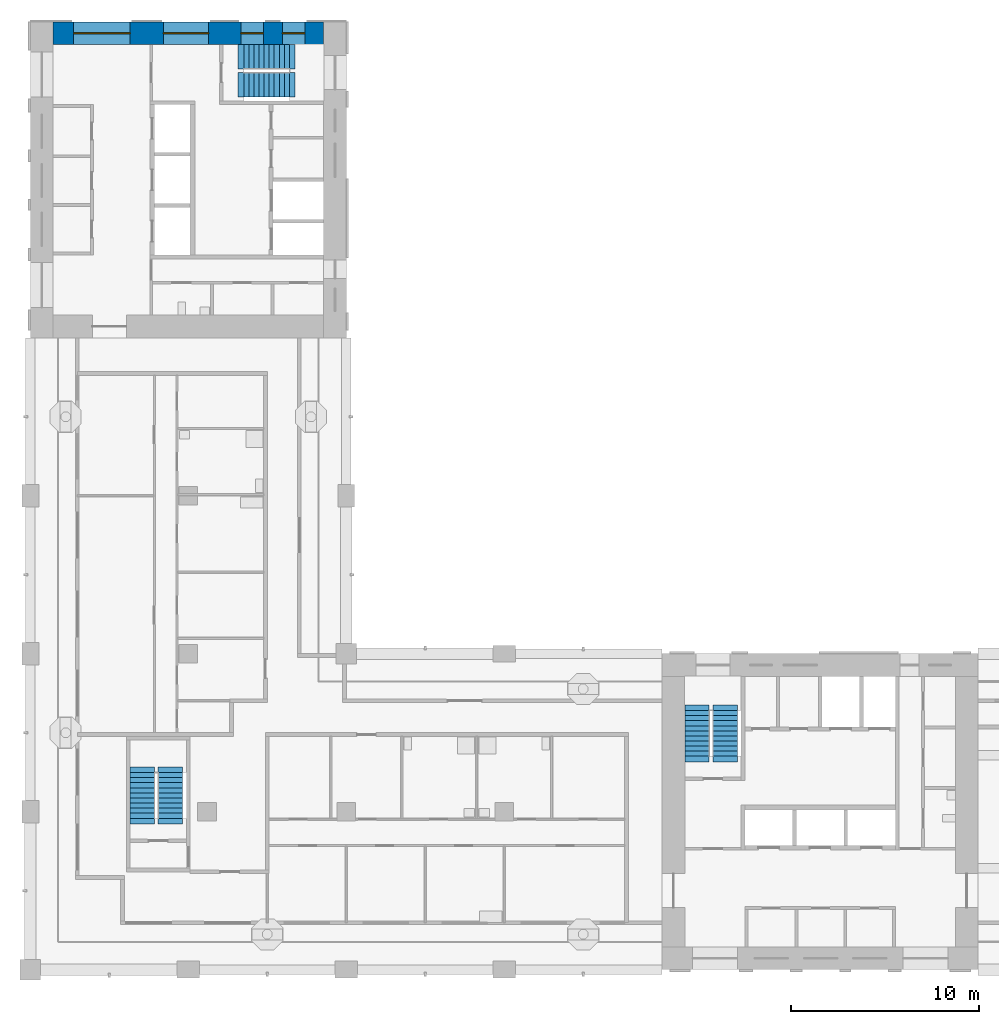
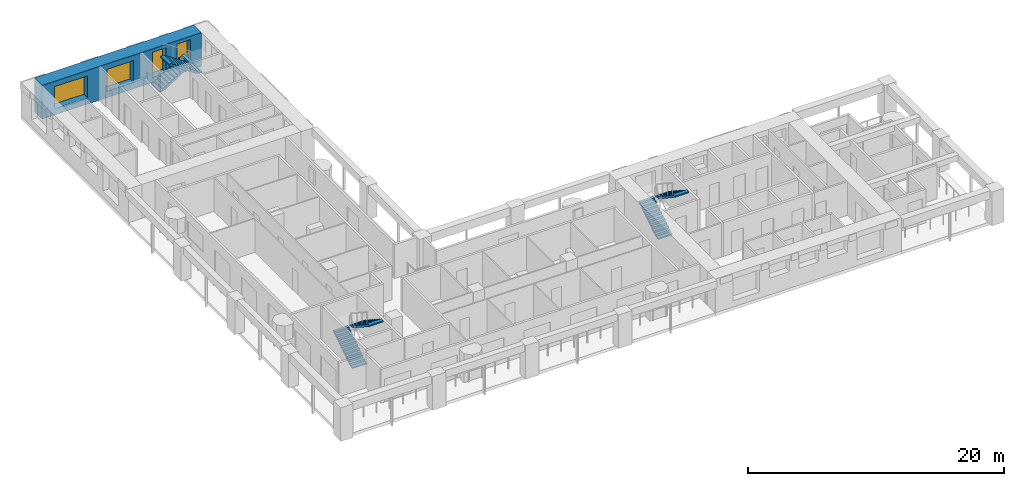
# One storey, part 7 of 13: 6 stair flights, 4 windows, 1 wall, 4 openings, 3 elements without a shape of their own.
"""IFC4 building model written with IfcOpenShell, lengths in metres."""

from ifc_helpers import new_model, si_unit, direction, frame, frame_2d, origin, place, context, subcontext, project, spatial, polyline, rectangle, outline, extrude, material, layer, layer_set, type_object, element, fill, aggregate, save


model = new_model("IFC4")

# Units and contexts
model_context = context("Model", 3, precision=1e-05, world=origin(), true_north=direction((0.0, 1.0)))
body_context = subcontext(model_context, "Body", "Model", "MODEL_VIEW")
ifc_project = project(units=[si_unit("LENGTHUNIT", "METRE"), si_unit("AREAUNIT", "SQUARE_METRE"), si_unit("VOLUMEUNIT", "CUBIC_METRE"), si_unit("PLANEANGLEUNIT", "RADIAN"), si_unit("MASSUNIT", "GRAM", prefix="KILO")], contexts=[model_context])

# Site, building, storey
site_placement = place(None, origin())
site = spatial("IfcSite", under=ifc_project, at=site_placement, CompositionType="ELEMENT")
building_placement = place(site_placement, origin())
building = spatial("IfcBuilding", under=site, at=building_placement, Name="Vermilion Gate Residences", CompositionType="ELEMENT")
storey_placement = place(building_placement, frame((0.0, 0.0, 196.699951171875)))
storey = spatial("IfcBuildingStorey", under=building, at=storey_placement, Name="L51", CompositionType="ELEMENT", Elevation=196.699951171875)

# Wall, openings, windows
ifc_material_1 = material(Name="Concrete C60 red-oxide pigmented", Category="concrete")
ifc_layer = layer(ifc_material_1, 1.199951171875)
ifc_layer_set = layer_set([ifc_layer], Name="RC CORE WALL 1200 C60 RED OXIDE")
wall_type = type_object("IfcWallType", Name="RC CORE WALL 1200 C60 RED OXIDE", PredefinedType="SHEAR", material=ifc_layer_set)
wall_placement = place(storey_placement, frame((9.60009765625, 58.199951171875, 0.0), z_axis=(0.0, 0.0, 1.0), x_axis=(1.0, 0.0, 0.0)))
wall = element("IfcWall", 1, at=wall_placement, inside=storey, type_object=wall_type, Name="Core wall B51-OUT-FR", PredefinedType="SHEAR", context=body_context, shape_type="SweptSolid", body=[
    extrude(rectangle(XDim=14.39990234375, YDim=1.199951171875, at=frame_2d((7.199951171875, 0.0))), origin(), (0.0, 0.0, 1.0), 3.219970703125),
])
opening_1_placement = place(wall_placement, frame((1.10498046875, 0.0, 0.60009765625)))
opening_1 = element("IfcOpeningElement", 2, at=opening_1_placement, cuts=wall, Name="Opening WKB5111", PredefinedType="OPENING", context=body_context, shape_type="SweptSolid", body=[
    extrude(rectangle(XDim=3.0, YDim=2.10009765625, at=frame_2d((1.5, 1.050048828125))), frame((0.0, 0.60986328125, 0.0), z_axis=(0.0, -1.0, 0.0), x_axis=(1.0, 0.0, 0.0)), (0.0, 0.0, 1.0), 1.219970703125),
])
opening_2_placement = place(wall_placement, frame((5.875, 0.0, 0.60009765625)))
opening_2 = element("IfcOpeningElement", 3, at=opening_2_placement, cuts=wall, Name="Opening WKB5112", PredefinedType="OPENING", context=body_context, shape_type="SweptSolid", body=[
    extrude(rectangle(XDim=2.39990234375, YDim=2.10009765625, at=frame_2d((1.199951171875, 1.050048828125))), frame((0.0, 0.60986328125, 0.0), z_axis=(0.0, -1.0, 0.0), x_axis=(1.0, 0.0, 0.0)), (0.0, 0.0, 1.0), 1.219970703125),
])
opening_3_placement = place(wall_placement, frame((9.993408203125, 0.0, 0.5)))
opening_3 = element("IfcOpeningElement", 4, at=opening_3_placement, cuts=wall, Name="Opening WKB5113", PredefinedType="OPENING", context=body_context, shape_type="SweptSolid", body=[
    extrude(rectangle(XDim=1.199951171875, YDim=2.39990234375, at=frame_2d((0.60009765625, 1.199951171875))), frame((0.0, 0.60986328125, 0.0), z_axis=(0.0, -1.0, 0.0), x_axis=(1.0, 0.0, 0.0)), (0.0, 0.0, 1.0), 1.219970703125),
])
opening_4_placement = place(wall_placement, frame((12.19677734375, 0.0, 0.5)))
opening_4 = element("IfcOpeningElement", 5, at=opening_4_placement, cuts=wall, Name="Opening WKB5114", PredefinedType="OPENING", context=body_context, shape_type="SweptSolid", body=[
    extrude(rectangle(XDim=1.199951171875, YDim=2.39990234375, at=frame_2d((0.60009765625, 1.199951171875))), frame((0.0, 0.60986328125, 0.0), z_axis=(0.0, -1.0, 0.0), x_axis=(1.0, 0.0, 0.0)), (0.0, 0.0, 1.0), 1.219970703125),
])
ifc_material_2 = material(Name="Aluminium and clear glass", Category="aluminium")
window_type_1 = type_object("IfcWindowType", Name="CORE LOBBY WINDOW 2400 X 2100", PartitioningType="SINGLE_PANEL", PredefinedType="WINDOW", material=ifc_material_2)
window_1_placement = place(opening_2_placement, origin())
window_1 = element("IfcWindow", 6, at=window_1_placement, inside=storey, type_object=window_type_1, Name="Core lobby window", OverallHeight=2.10009765625, OverallWidth=2.39990234375, PartitioningType="SINGLE_PANEL", PredefinedType="WINDOW", context=body_context, shape_type="SweptSolid", body=[
    extrude(rectangle(XDim=2.39990234375, YDim=2.10009765625, at=frame_2d((1.199951171875, 1.050048828125))), frame((0.0, 0.030029296875, 0.0), z_axis=(0.0, -1.0, 0.0), x_axis=(1.0, 0.0, 0.0)), (0.0, 0.0, 1.0), 0.06005859375),
])
fill(opening_2, window_1)
ifc_material_3 = material(Name="Aluminium and clear glass", Category="aluminium")
window_type_2 = type_object("IfcWindowType", Name="CORE LOBBY WINDOW 3000 X 2100", PartitioningType="SINGLE_PANEL", PredefinedType="WINDOW", material=ifc_material_3)
window_2_placement = place(opening_1_placement, origin())
window_2 = element("IfcWindow", 7, at=window_2_placement, inside=storey, type_object=window_type_2, Name="Core lobby window", OverallHeight=2.10009765625, OverallWidth=3.0, PartitioningType="SINGLE_PANEL", PredefinedType="WINDOW", context=body_context, shape_type="SweptSolid", body=[
    extrude(rectangle(XDim=3.0, YDim=2.10009765625, at=frame_2d((1.5, 1.050048828125))), frame((0.0, 0.030029296875, 0.0), z_axis=(0.0, -1.0, 0.0), x_axis=(1.0, 0.0, 0.0)), (0.0, 0.0, 1.0), 0.06005859375),
])
fill(opening_1, window_2)
ifc_material_4 = material(Name="Aluminium and clear glass", Category="aluminium")
window_type_3 = type_object("IfcWindowType", Name="CORE STAIR WINDOW 1200 X 2400", PartitioningType="SINGLE_PANEL", PredefinedType="WINDOW", material=ifc_material_4)
window_3_placement = place(opening_3_placement, origin())
window_3 = element("IfcWindow", 8, at=window_3_placement, inside=storey, type_object=window_type_3, Name="Core stair window", OverallHeight=2.39990234375, OverallWidth=1.199951171875, PartitioningType="SINGLE_PANEL", PredefinedType="WINDOW", context=body_context, shape_type="SweptSolid", body=[
    extrude(rectangle(XDim=1.199951171875, YDim=2.39990234375, at=frame_2d((0.60009765625, 1.199951171875))), frame((0.0, 0.030029296875, 0.0), z_axis=(0.0, -1.0, 0.0), x_axis=(1.0, 0.0, 0.0)), (0.0, 0.0, 1.0), 0.06005859375),
])
fill(opening_3, window_3)
window_4_placement = place(opening_4_placement, origin())
window_4 = element("IfcWindow", 9, at=window_4_placement, inside=storey, type_object=window_type_3, Name="Core stair window", OverallHeight=2.39990234375, OverallWidth=1.199951171875, PartitioningType="SINGLE_PANEL", PredefinedType="WINDOW", context=body_context, shape_type="SweptSolid", body=[
    extrude(rectangle(XDim=1.199951171875, YDim=2.39990234375, at=frame_2d((0.60009765625, 1.199951171875))), frame((0.0, 0.030029296875, 0.0), z_axis=(0.0, -1.0, 0.0), x_axis=(1.0, 0.0, 0.0)), (0.0, 0.0, 1.0), 0.06005859375),
])
fill(opening_4, window_4)

# Stair, stair flights
ifc_material_5 = material(Name="Concrete C50", Category="concrete")
stair_type = type_object("IfcStairType", Name="SPECIAL ESCAPE STAIR 1300", PredefinedType="HALF_TURN_STAIR", material=ifc_material_5)
stair_1_placement = place(storey_placement, origin())
stair_1 = element("IfcStair", 10, at=stair_1_placement, inside=storey, type_object=stair_type, Name="Special escape stair STA1-51", PredefinedType="HALF_TURN_STAIR")
ifc_material_6 = material(Name="Concrete C50", Category="concrete")
stair_flight_type = type_object("IfcStairFlightType", Name="STAIR FLIGHT 1300 RC C50", PredefinedType="STRAIGHT", material=ifc_material_6)
stair_flight_1_placement = place(storey_placement, frame((43.85009765625, 19.75, 0.0), z_axis=(0.0, 0.0, 1.0), x_axis=(0.0, 1.0, 0.0)))
stair_flight_1 = element("IfcStairFlight", 11, at=stair_flight_1_placement, type_object=stair_flight_type, Name="STA1-51 flight 1", NumberOfRisers=10, NumberOfTreads=9, PredefinedType="STRAIGHT", RiserHeight=0.175, TreadLength=0.27, context=body_context, shape_type="SweptSolid", body=[
    extrude(outline(polyline([(-0.300048828125, -0.14990234375), (-0.300048828125, -0.030029296875), (0.0, 0.0), (0.0, 0.175048828125), (0.27001953125, 0.175048828125), (0.27001953125, 0.35009765625), (0.5400390625, 0.35009765625), (0.5400390625, 0.52490234375), (0.81005859375, 0.52490234375), (0.81005859375, 0.699951171875), (1.080078125, 0.699951171875), (1.080078125, 0.875), (1.35009765625, 0.875), (1.35009765625, 1.050048828125), (1.6201171875, 1.050048828125), (1.6201171875, 1.22509765625), (1.889892578125, 1.22509765625), (1.889892578125, 1.39990234375), (2.159912109375, 1.39990234375), (2.159912109375, 1.574951171875), (2.429931640625, 1.574951171875), (2.429931640625, 1.75), (2.72998046875, 1.719970703125), (2.72998046875, 1.60009765625), (2.429931640625, 1.396484375), (0.275634765625, 0.0), (-0.300048828125, -0.14990234375)])), frame((0.0, 0.64990234375, 0.0), z_axis=(0.0, -1.0, 0.0), x_axis=(1.0, 0.0, 0.0)), (0.0, 0.0, 1.0), 1.300048828125),
])
stair_flight_2_placement = place(storey_placement, frame((45.35009765625, 22.179931640625, 1.75), z_axis=(0.0, 0.0, 1.0), x_axis=(0.0, -1.0, 0.0)))
stair_flight_2 = element("IfcStairFlight", 12, at=stair_flight_2_placement, type_object=stair_flight_type, Name="STA1-51 flight 2", NumberOfRisers=10, NumberOfTreads=9, PredefinedType="STRAIGHT", RiserHeight=0.175, TreadLength=0.27, context=body_context, shape_type="SweptSolid", body=[
    extrude(outline(polyline([(-0.300048828125, -0.14990234375), (-0.300048828125, -0.030029296875), (0.0, 0.0), (0.0, 0.175048828125), (0.27001953125, 0.175048828125), (0.27001953125, 0.35009765625), (0.5400390625, 0.35009765625), (0.5400390625, 0.52490234375), (0.81005859375, 0.52490234375), (0.81005859375, 0.699951171875), (1.080078125, 0.699951171875), (1.080078125, 0.875), (1.35009765625, 0.875), (1.35009765625, 1.050048828125), (1.6201171875, 1.050048828125), (1.6201171875, 1.22509765625), (1.889892578125, 1.22509765625), (1.889892578125, 1.39990234375), (2.159912109375, 1.39990234375), (2.159912109375, 1.574951171875), (2.429931640625, 1.574951171875), (2.429931640625, 1.75), (2.72998046875, 1.719970703125), (2.72998046875, 1.60009765625), (2.429931640625, 1.396484375), (0.275634765625, 0.0), (-0.300048828125, -0.14990234375)])), frame((0.0, 0.64990234375, 0.0), z_axis=(0.0, -1.0, 0.0), x_axis=(1.0, 0.0, 0.0)), (0.0, 0.0, 1.0), 1.300048828125),
])
aggregate(stair_1, [stair_flight_1, stair_flight_2])

stair_2_placement = place(storey_placement, origin())
stair_2 = element("IfcStair", 13, at=stair_2_placement, inside=storey, type_object=stair_type, Name="Special escape stair STB1-51", PredefinedType="HALF_TURN_STAIR")
stair_flight_3_placement = place(storey_placement, frame((19.75, 56.949951171875, 0.0), z_axis=(0.0, 0.0, 1.0), x_axis=(1.0, 0.0, 0.0)))
stair_flight_3 = element("IfcStairFlight", 14, at=stair_flight_3_placement, type_object=stair_flight_type, Name="STB1-51 flight 1", NumberOfRisers=10, NumberOfTreads=9, PredefinedType="STRAIGHT", RiserHeight=0.175, TreadLength=0.27, context=body_context, shape_type="SweptSolid", body=[
    extrude(outline(polyline([(-0.300048828125, -0.14990234375), (-0.300048828125, -0.030029296875), (0.0, 0.0), (0.0, 0.175048828125), (0.27001953125, 0.175048828125), (0.27001953125, 0.35009765625), (0.5400390625, 0.35009765625), (0.5400390625, 0.52490234375), (0.81005859375, 0.52490234375), (0.81005859375, 0.699951171875), (1.080078125, 0.699951171875), (1.080078125, 0.875), (1.35009765625, 0.875), (1.35009765625, 1.050048828125), (1.6201171875, 1.050048828125), (1.6201171875, 1.22509765625), (1.889892578125, 1.22509765625), (1.889892578125, 1.39990234375), (2.159912109375, 1.39990234375), (2.159912109375, 1.574951171875), (2.429931640625, 1.574951171875), (2.429931640625, 1.75), (2.72998046875, 1.719970703125), (2.72998046875, 1.60009765625), (2.429931640625, 1.396484375), (0.275634765625, 0.0), (-0.300048828125, -0.14990234375)])), frame((0.0, 0.64990234375, 0.0), z_axis=(0.0, -1.0, 0.0), x_axis=(1.0, 0.0, 0.0)), (0.0, 0.0, 1.0), 1.300048828125),
])
stair_flight_4_placement = place(storey_placement, frame((22.179931640625, 55.449951171875, 1.75), z_axis=(0.0, 0.0, 1.0), x_axis=(-1.0, 0.0, 0.0)))
stair_flight_4 = element("IfcStairFlight", 15, at=stair_flight_4_placement, type_object=stair_flight_type, Name="STB1-51 flight 2", NumberOfRisers=10, NumberOfTreads=9, PredefinedType="STRAIGHT", RiserHeight=0.175, TreadLength=0.27, context=body_context, shape_type="SweptSolid", body=[
    extrude(outline(polyline([(-0.300048828125, -0.14990234375), (-0.300048828125, -0.030029296875), (0.0, 0.0), (0.0, 0.175048828125), (0.27001953125, 0.175048828125), (0.27001953125, 0.35009765625), (0.5400390625, 0.35009765625), (0.5400390625, 0.52490234375), (0.81005859375, 0.52490234375), (0.81005859375, 0.699951171875), (1.080078125, 0.699951171875), (1.080078125, 0.875), (1.35009765625, 0.875), (1.35009765625, 1.050048828125), (1.6201171875, 1.050048828125), (1.6201171875, 1.22509765625), (1.889892578125, 1.22509765625), (1.889892578125, 1.39990234375), (2.159912109375, 1.39990234375), (2.159912109375, 1.574951171875), (2.429931640625, 1.574951171875), (2.429931640625, 1.75), (2.72998046875, 1.719970703125), (2.72998046875, 1.60009765625), (2.429931640625, 1.396484375), (0.275634765625, 0.0), (-0.300048828125, -0.14990234375)])), frame((0.0, 0.64990234375, 0.0), z_axis=(0.0, -1.0, 0.0), x_axis=(1.0, 0.0, 0.0)), (0.0, 0.0, 1.0), 1.300048828125),
])
aggregate(stair_2, [stair_flight_3, stair_flight_4])

stair_3_placement = place(storey_placement, origin())
stair_3 = element("IfcStair", 16, at=stair_3_placement, inside=storey, type_object=stair_type, Name="Special escape stair STC1-51", PredefinedType="HALF_TURN_STAIR")
stair_flight_5_placement = place(storey_placement, frame((14.35009765625, 16.449951171875, 0.0), z_axis=(0.0, 0.0, 1.0), x_axis=(0.0, 1.0, 0.0)))
stair_flight_5 = element("IfcStairFlight", 17, at=stair_flight_5_placement, type_object=stair_flight_type, Name="STC1-51 flight 1", NumberOfRisers=10, NumberOfTreads=9, PredefinedType="STRAIGHT", RiserHeight=0.175, TreadLength=0.27, context=body_context, shape_type="SweptSolid", body=[
    extrude(outline(polyline([(-0.300048828125, -0.14990234375), (-0.300048828125, -0.030029296875), (0.0, 0.0), (0.0, 0.175048828125), (0.27001953125, 0.175048828125), (0.27001953125, 0.35009765625), (0.5400390625, 0.35009765625), (0.5400390625, 0.52490234375), (0.81005859375, 0.52490234375), (0.81005859375, 0.699951171875), (1.080078125, 0.699951171875), (1.080078125, 0.875), (1.35009765625, 0.875), (1.35009765625, 1.050048828125), (1.6201171875, 1.050048828125), (1.6201171875, 1.22509765625), (1.889892578125, 1.22509765625), (1.889892578125, 1.39990234375), (2.159912109375, 1.39990234375), (2.159912109375, 1.574951171875), (2.429931640625, 1.574951171875), (2.429931640625, 1.75), (2.72998046875, 1.719970703125), (2.72998046875, 1.60009765625), (2.429931640625, 1.396484375), (0.275634765625, 0.0), (-0.300048828125, -0.14990234375)])), frame((0.0, 0.64990234375, 0.0), z_axis=(0.0, -1.0, 0.0), x_axis=(1.0, 0.0, 0.0)), (0.0, 0.0, 1.0), 1.300048828125),
])
stair_flight_6_placement = place(storey_placement, frame((15.85009765625, 18.8798828125, 1.75), z_axis=(0.0, 0.0, 1.0), x_axis=(0.0, -1.0, 0.0)))
stair_flight_6 = element("IfcStairFlight", 18, at=stair_flight_6_placement, type_object=stair_flight_type, Name="STC1-51 flight 2", NumberOfRisers=10, NumberOfTreads=9, PredefinedType="STRAIGHT", RiserHeight=0.175, TreadLength=0.27, context=body_context, shape_type="SweptSolid", body=[
    extrude(outline(polyline([(-0.300048828125, -0.14990234375), (-0.300048828125, -0.030029296875), (0.0, 0.0), (0.0, 0.175048828125), (0.27001953125, 0.175048828125), (0.27001953125, 0.35009765625), (0.5400390625, 0.35009765625), (0.5400390625, 0.52490234375), (0.81005859375, 0.52490234375), (0.81005859375, 0.699951171875), (1.080078125, 0.699951171875), (1.080078125, 0.875), (1.35009765625, 0.875), (1.35009765625, 1.050048828125), (1.6201171875, 1.050048828125), (1.6201171875, 1.22509765625), (1.889892578125, 1.22509765625), (1.889892578125, 1.39990234375), (2.159912109375, 1.39990234375), (2.159912109375, 1.574951171875), (2.429931640625, 1.574951171875), (2.429931640625, 1.75), (2.72998046875, 1.719970703125), (2.72998046875, 1.60009765625), (2.429931640625, 1.396484375), (0.275634765625, 0.0), (-0.300048828125, -0.14990234375)])), frame((0.0, 0.64990234375, 0.0), z_axis=(0.0, -1.0, 0.0), x_axis=(1.0, 0.0, 0.0)), (0.0, 0.0, 1.0), 1.300048828125),
])
aggregate(stair_3, [stair_flight_5, stair_flight_6])

save(model, "model.ifc")
